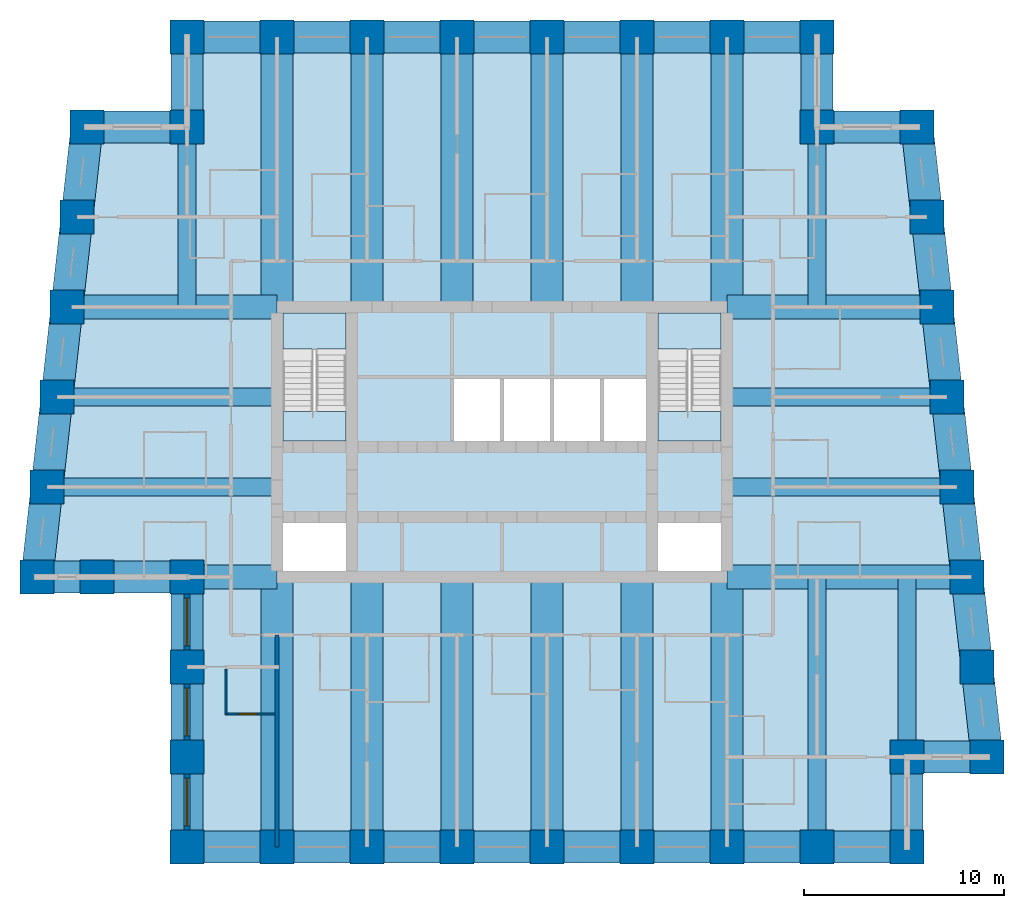
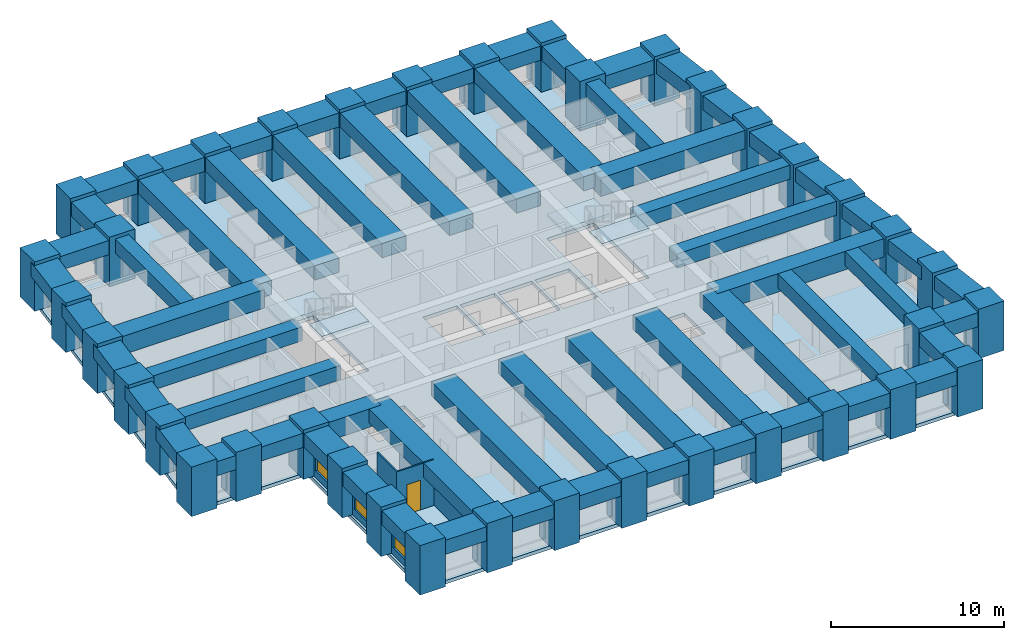
# One storey, part 1 of 8: 62 beams, 38 columns, 5 slabs, 4 walls, 3 windows, 1 door, 4 openings, 2 elements without a shape of their own.
"""IFC4 building model written with IfcOpenShell, lengths in metres."""

from ifc_helpers import new_model, si_unit, direction, frame, frame_2d, origin, origin_2d, place, context, subcontext, project, spatial, polyline, rectangle, outline, extrude, material, layer, layer_set, material_profile, profile_set, type_object, element, fill, aggregate, save


model = new_model("IFC4")

# Units and contexts
model_context = context("Model", 3, precision=1e-05, world=origin(), true_north=direction((0.0, 1.0)))
body_context = subcontext(model_context, "Body", "Model", "MODEL_VIEW")
ifc_project = project(units=[si_unit("LENGTHUNIT", "METRE"), si_unit("AREAUNIT", "SQUARE_METRE"), si_unit("VOLUMEUNIT", "CUBIC_METRE"), si_unit("PLANEANGLEUNIT", "RADIAN"), si_unit("MASSUNIT", "GRAM", prefix="KILO")], contexts=[model_context])

# Site, building, storey
site_placement = place(None, origin())
site = spatial("IfcSite", under=ifc_project, at=site_placement, CompositionType="ELEMENT")
building_placement = place(site_placement, origin())
building = spatial("IfcBuilding", under=site, at=building_placement, Name="Kilele Tower Hotel", CompositionType="ELEMENT")
storey_placement = place(building_placement, frame((0.0, 0.0, 169.39990234375)))
storey = spatial("IfcBuildingStorey", under=building, at=storey_placement, Name="L43", CompositionType="ELEMENT", Elevation=169.39990234375)

# Columns
ifc_material_1 = material(Name="Concrete C60/75", Category="concrete")
ifc_material_profile_1 = material_profile(ifc_material_1, rectangle(XDim=1.699951171875, YDim=1.699951171875, at=origin_2d()))
ifc_profile_set_1 = profile_set([ifc_material_profile_1], Name="Concrete C60/75")
column_type = type_object("IfcColumnType", Name="Tube column RC 1700x1700 C60/75", PredefinedType="COLUMN", material=ifc_profile_set_1)
for number, where, z_axis, x_axis, name in (
    (1, (1.5, 13.5, 0.0), (0.0, 0.0, 1.0), (1.0, 0.0, 0.0), "Column TC4 L43"),
    (2, (4.5, 13.5, 0.0), (0.0, 0.0, 1.0), (1.0, 0.0, 0.0), "Column TC4 L43"),
    (3, (9.0, 13.5, 0.0), (0.0, 0.0, 1.0), (1.0, 0.0, 0.0), "Column TC4 L43"),
    (4, (9.0, 9.0, 0.0), (0.0, 0.0, 1.0), (1.0, 0.0, 0.0), "Column TC4 L43"),
    (5, (9.0, 4.5, 0.0), (0.0, 0.0, 1.0), (1.0, 0.0, 0.0), "Column TC4 L43"),
    (6, (9.0, 0.0, 0.0), (0.0, 0.0, 1.0), (1.0, 0.0, 0.0), "Column TC4 L43"),
    (7, (13.5, 0.0, 0.0), (0.0, 0.0, 1.0), (1.0, 0.0, 0.0), "Column TC4 L43"),
    (8, (18.0, 0.0, 0.0), (0.0, 0.0, 1.0), (1.0, 0.0, 0.0), "Column TC4 L43"),
    (9, (22.5, 0.0, 0.0), (0.0, 0.0, 1.0), (1.0, 0.0, 0.0), "Column TC4 L43"),
    (10, (27.0, 0.0, 0.0), (0.0, 0.0, 1.0), (1.0, 0.0, 0.0), "Column TC4 L43"),
    (11, (31.5, 0.0, 0.0), (0.0, 0.0, 1.0), (1.0, 0.0, 0.0), "Column TC4 L43"),
    (12, (36.0, 0.0, 0.0), (0.0, 0.0, 1.0), (1.0, 0.0, 0.0), "Column TC4 L43"),
    (13, (40.5, 0.0, 0.0), (0.0, 0.0, 1.0), (1.0, 0.0, 0.0), "Column TC4 L43"),
    (14, (45.0, 0.0, 0.0), (0.0, 0.0, 1.0), (1.0, 0.0, 0.0), "Column TC4 L43"),
    (15, (45.0, 4.5, 0.0), (0.0, 0.0, 1.0), (1.0, 0.0, 0.0), "Column TC4 L43"),
    (16, (49.0, 4.5, 0.0), (0.0, 0.0, 1.0), (1.0, 0.0, 0.0), "Column TC4 L43"),
    (17, (48.5, 9.0, 0.0), (0.0, 0.0, 1.0), (1.0, 0.0, 0.0), "Column TC4 L43"),
    (18, (48.0, 13.5, 0.0), (0.0, 0.0, 1.0), (1.0, 0.0, 0.0), "Column TC4 L43"),
    (19, (47.5, 18.0, 0.0), (0.0, 0.0, 1.0), (1.0, 0.0, 0.0), "Column TC4 L43"),
    (20, (47.0, 22.5, 0.0), (0.0, 0.0, 1.0), (1.0, 0.0, 0.0), "Column TC4 L43"),
    (21, (46.5, 27.0, 0.0), (0.0, 0.0, 1.0), (1.0, 0.0, 0.0), "Column TC4 L43"),
    (22, (46.0, 31.5, 0.0), (0.0, 0.0, 1.0), (1.0, 0.0, 0.0), "Column TC4 L43"),
    (23, (45.5, 36.0, 0.0), (0.0, 0.0, 1.0), (1.0, 0.0, 0.0), "Column TC4 L43"),
    (24, (40.5, 36.0, 0.0), (0.0, 0.0, 1.0), (1.0, 0.0, 0.0), "Column TC4 L43"),
    (25, (40.5, 40.5, 0.0), (0.0, 0.0, 1.0), (1.0, 0.0, 0.0), "Column TC4 L43"),
    (26, (36.0, 40.5, 0.0), (0.0, 0.0, 1.0), (1.0, 0.0, 0.0), "Column TC4 L43"),
    (27, (31.5, 40.5, 0.0), (0.0, 0.0, 1.0), (1.0, 0.0, 0.0), "Column TC4 L43"),
    (28, (27.0, 40.5, 0.0), (0.0, 0.0, 1.0), (1.0, 0.0, 0.0), "Column TC4 L43"),
    (29, (22.5, 40.5, 0.0), (0.0, 0.0, 1.0), (1.0, 0.0, 0.0), "Column TC4 L43"),
    (30, (18.0, 40.5, 0.0), (0.0, 0.0, 1.0), (1.0, 0.0, 0.0), "Column TC4 L43"),
    (31, (13.5, 40.5, 0.0), (0.0, 0.0, 1.0), (1.0, 0.0, 0.0), "Column TC4 L43"),
    (32, (9.0, 40.5, 0.0), (0.0, 0.0, 1.0), (1.0, 0.0, 0.0), "Column TC4 L43"),
    (33, (9.0, 36.0, 0.0), (0.0, 0.0, 1.0), (1.0, 0.0, 0.0), "Column TC4 L43"),
    (34, (4.0, 36.0, 0.0), (0.0, 0.0, 1.0), (1.0, 0.0, 0.0), "Column TC4 L43"),
    (35, (3.5, 31.5, 0.0), (0.0, 0.0, 1.0), (1.0, 0.0, 0.0), "Column TC4 L43"),
    (36, (3.0, 27.0, 0.0), (0.0, 0.0, 1.0), (1.0, 0.0, 0.0), "Column TC4 L43"),
    (37, (2.5, 22.5, 0.0), (0.0, 0.0, 1.0), (1.0, 0.0, 0.0), "Column TC4 L43"),
    (38, (2.0, 18.0, 0.0), (0.0, 0.0, 1.0), (1.0, 0.0, 0.0), "Column TC4 L43"),
):
    element("IfcColumn", number, at=place(storey_placement, frame(where, z_axis=z_axis, x_axis=x_axis)), inside=storey, type_object=column_type, Name=name, PredefinedType="COLUMN", context=body_context, shape_type="SweptSolid", body=[
        extrude(rectangle(XDim=1.699951171875, YDim=1.699951171875, at=origin_2d()), origin(), (0.0, 0.0, 1.0), 3.5),
    ])

# Beams
ifc_material_2 = material(Name="Concrete C60/75", Category="concrete")
ifc_material_profile_2 = material_profile(ifc_material_2, rectangle(XDim=1.60009765625, YDim=1.0, at=origin_2d()))
ifc_profile_set_2 = profile_set([ifc_material_profile_2], Name="Concrete C60/75")
beam_type_1 = type_object("IfcBeamType", Name="Beam RC 1600x1000 C60/75", PredefinedType="BEAM", material=ifc_profile_set_2)
for number, where, z_axis, x_axis, name in (
    (39, (13.5, 0.0, 2.75), (0.0, 1.0, 0.0), (-1.0, 0.0, 0.0), "Beam BC1 level L44"),
    (40, (18.0, 0.0, 2.75), (0.0, 1.0, 0.0), (-1.0, 0.0, 0.0), "Beam BC1 level L44"),
    (41, (22.5, 0.0, 2.75), (0.0, 1.0, 0.0), (-1.0, 0.0, 0.0), "Beam BC1 level L44"),
    (42, (27.0, 0.0, 2.75), (0.0, 1.0, 0.0), (-1.0, 0.0, 0.0), "Beam BC1 level L44"),
    (43, (31.5, 0.0, 2.75), (0.0, 1.0, 0.0), (-1.0, 0.0, 0.0), "Beam BC1 level L44"),
    (44, (36.0, 0.0, 2.75), (0.0, 1.0, 0.0), (-1.0, 0.0, 0.0), "Beam BC1 level L44"),
    (45, (36.0, 40.5, 2.75), (0.0, -1.0, 0.0), (1.0, 0.0, 0.0), "Beam BC1 level L44"),
    (46, (31.5, 40.5, 2.75), (0.0, -1.0, 0.0), (1.0, 0.0, 0.0), "Beam BC1 level L44"),
    (47, (27.0, 40.5, 2.75), (0.0, -1.0, 0.0), (1.0, 0.0, 0.0), "Beam BC1 level L44"),
    (48, (22.5, 40.5, 2.75), (0.0, -1.0, 0.0), (1.0, 0.0, 0.0), "Beam BC1 level L44"),
    (49, (18.0, 40.5, 2.75), (0.0, -1.0, 0.0), (1.0, 0.0, 0.0), "Beam BC1 level L44"),
    (50, (13.5, 40.5, 2.75), (0.0, -1.0, 0.0), (1.0, 0.0, 0.0), "Beam BC1 level L44"),
):
    element("IfcBeam", number, at=place(storey_placement, frame(where, z_axis=z_axis, x_axis=x_axis)), inside=storey, type_object=beam_type_1, Name=name, PredefinedType="BEAM", context=body_context, shape_type="SweptSolid", body=[
        extrude(rectangle(XDim=1.60009765625, YDim=1.0, at=origin_2d()), origin(), (0.0, 0.0, 1.0), 13.5),
    ])
ifc_material_3 = material(Name="Concrete C60/75", Category="concrete")
ifc_material_profile_3 = material_profile(ifc_material_3, rectangle(XDim=0.89990234375, YDim=1.0, at=origin_2d()))
ifc_profile_set_3 = profile_set([ifc_material_profile_3], Name="Concrete C60/75")
beam_type_2 = type_object("IfcBeamType", Name="Beam RC 900x1000 C60/75", PredefinedType="BEAM", material=ifc_profile_set_3)
beam_1_placement = place(storey_placement, frame((40.5, 0.0, 2.75), z_axis=(0.0, 1.0, 0.0), x_axis=(-1.0, 0.0, 0.0)))
element("IfcBeam", 51, at=beam_1_placement, inside=storey, type_object=beam_type_2, Name="Beam B8 level L44", PredefinedType="BEAM", context=body_context, shape_type="SweptSolid", body=[
    extrude(rectangle(XDim=0.89990234375, YDim=1.0, at=origin_2d()), origin(), (0.0, 0.0, 1.0), 13.5),
])
beam_2_placement = place(storey_placement, frame((45.0, 4.5, 2.75), z_axis=(0.0, 1.0, 0.0), x_axis=(-1.0, 0.0, 0.0)))
element("IfcBeam", 52, at=beam_2_placement, inside=storey, type_object=beam_type_2, Name="Beam B8 level L44", PredefinedType="BEAM", context=body_context, shape_type="SweptSolid", body=[
    extrude(rectangle(XDim=0.89990234375, YDim=1.0, at=origin_2d()), origin(), (0.0, 0.0, 1.0), 9.0),
])
beam_3_placement = place(storey_placement, frame((47.5, 18.0, 2.75), z_axis=(-1.0, 0.0, 0.0), x_axis=(0.0, -1.0, 0.0)))
element("IfcBeam", 53, at=beam_3_placement, inside=storey, type_object=beam_type_2, Name="Beam B8 level L44", PredefinedType="BEAM", context=body_context, shape_type="SweptSolid", body=[
    extrude(rectangle(XDim=0.89990234375, YDim=1.0, at=origin_2d()), origin(), (0.0, 0.0, 1.0), 11.5),
])
beam_4_placement = place(storey_placement, frame((47.0, 22.5, 2.75), z_axis=(-1.0, 0.0, 0.0), x_axis=(0.0, -1.0, 0.0)))
element("IfcBeam", 54, at=beam_4_placement, inside=storey, type_object=beam_type_2, Name="Beam B8 level L44", PredefinedType="BEAM", context=body_context, shape_type="SweptSolid", body=[
    extrude(rectangle(XDim=0.89990234375, YDim=1.0, at=origin_2d()), origin(), (0.0, 0.0, 1.0), 11.0),
])
for number, where, z_axis, x_axis, name in (
    (55, (40.5, 36.0, 2.75), (0.0, -1.0, 0.0), (1.0, 0.0, 0.0), "Beam B8 level L44"),
    (56, (9.0, 36.0, 2.75), (0.0, -1.0, 0.0), (1.0, 0.0, 0.0), "Beam B8 level L44"),
):
    element("IfcBeam", number, at=place(storey_placement, frame(where, z_axis=z_axis, x_axis=x_axis)), inside=storey, type_object=beam_type_2, Name=name, PredefinedType="BEAM", context=body_context, shape_type="SweptSolid", body=[
        extrude(rectangle(XDim=0.89990234375, YDim=1.0, at=origin_2d()), origin(), (0.0, 0.0, 1.0), 9.0),
    ])
beam_5_placement = place(storey_placement, frame((2.5, 22.5, 2.75), z_axis=(1.0, 0.0, 0.0), x_axis=(0.0, 1.0, 0.0)))
element("IfcBeam", 57, at=beam_5_placement, inside=storey, type_object=beam_type_2, Name="Beam B8 level L44", PredefinedType="BEAM", context=body_context, shape_type="SweptSolid", body=[
    extrude(rectangle(XDim=0.89990234375, YDim=1.0, at=origin_2d()), origin(), (0.0, 0.0, 1.0), 11.0),
])
beam_6_placement = place(storey_placement, frame((2.0, 18.0, 2.75), z_axis=(1.0, 0.0, 0.0), x_axis=(0.0, 1.0, 0.0)))
element("IfcBeam", 58, at=beam_6_placement, inside=storey, type_object=beam_type_2, Name="Beam B8 level L44", PredefinedType="BEAM", context=body_context, shape_type="SweptSolid", body=[
    extrude(rectangle(XDim=0.89990234375, YDim=1.0, at=origin_2d()), origin(), (0.0, 0.0, 1.0), 11.5),
])
ifc_material_4 = material(Name="Concrete C60/75", Category="concrete")
ifc_material_profile_4 = material_profile(ifc_material_4, rectangle(XDim=1.199951171875, YDim=1.300048828125, at=origin_2d()))
ifc_profile_set_4 = profile_set([ifc_material_profile_4], Name="Concrete C60/75")
beam_type_3 = type_object("IfcBeamType", Name="Girder RC 1200x1300 C60/75", PredefinedType="BEAM", material=ifc_profile_set_4)
beam_7_placement = place(storey_placement, frame((48.0, 13.5, 2.60009765625), z_axis=(-1.0, 0.0, 0.0), x_axis=(0.0, -1.0, 0.0)))
element("IfcBeam", 59, at=beam_7_placement, inside=storey, type_object=beam_type_3, Name="Girder G1 level L44", PredefinedType="BEAM", context=body_context, shape_type="SweptSolid", body=[
    extrude(rectangle(XDim=1.199951171875, YDim=1.300048828125, at=origin_2d()), origin(), (0.0, 0.0, 1.0), 12.0),
])
ifc_material_5 = material(Name="Concrete C60/75", Category="concrete")
ifc_material_profile_5 = material_profile(ifc_material_5, rectangle(XDim=1.199951171875, YDim=1.300048828125, at=origin_2d()))
ifc_profile_set_5 = profile_set([ifc_material_profile_5], Name="Concrete C60/75")
beam_type_4 = type_object("IfcBeamType", Name="Girder RC 1200x1300 C60/75 mid span", PredefinedType="BEAM", material=ifc_profile_set_5)
for number, where, z_axis, x_axis, name in (
    (60, (46.5, 27.0, 2.60009765625), (-1.0, 0.0, 0.0), (0.0, -1.0, 0.0), "Girder G3 level L44"),
    (61, (3.0, 27.0, 2.60009765625), (1.0, 0.0, 0.0), (0.0, 1.0, 0.0), "Girder G3 level L44"),
):
    element("IfcBeam", number, at=place(storey_placement, frame(where, z_axis=z_axis, x_axis=x_axis)), inside=storey, type_object=beam_type_4, Name=name, PredefinedType="BEAM", context=body_context, shape_type="SweptSolid", body=[
        extrude(rectangle(XDim=1.199951171875, YDim=1.300048828125, at=origin_2d()), origin(), (0.0, 0.0, 1.0), 10.5),
    ])
ifc_material_6 = material(Name="Concrete C60/75", Category="concrete")
ifc_material_profile_6 = material_profile(ifc_material_6, rectangle(XDim=1.199951171875, YDim=1.300048828125, at=origin_2d()))
ifc_profile_set_6 = profile_set([ifc_material_profile_6], Name="Concrete C60/75")
beam_type_5 = type_object("IfcBeamType", Name="Girder RC 1200x1300 C60/75 short span", PredefinedType="BEAM", material=ifc_profile_set_6)
beam_8_placement = place(storey_placement, frame((9.0, 13.5, 2.60009765625), z_axis=(1.0, 0.0, 0.0), x_axis=(0.0, 1.0, 0.0)))
element("IfcBeam", 62, at=beam_8_placement, inside=storey, type_object=beam_type_5, Name="Girder G5 level L44", PredefinedType="BEAM", context=body_context, shape_type="SweptSolid", body=[
    extrude(rectangle(XDim=1.199951171875, YDim=1.300048828125, at=origin_2d()), origin(), (0.0, 0.0, 1.0), 4.5),
])
ifc_material_7 = material(Name="Concrete C60/75", Category="concrete")
ifc_material_profile_7 = material_profile(ifc_material_7, rectangle(XDim=1.60009765625, YDim=1.0, at=origin_2d()))
ifc_profile_set_7 = profile_set([ifc_material_profile_7], Name="Concrete C60/75")
beam_type_6 = type_object("IfcBeamType", Name="Spandrel RC 1600x1000 C60/75", PredefinedType="SPANDREL", material=ifc_profile_set_7)
beam_9_placement = place(storey_placement, frame((1.5, 13.5, 2.75), z_axis=(1.0, 0.0, 0.0), x_axis=(0.0, 1.0, 0.0)))
element("IfcBeam", 63, at=beam_9_placement, inside=storey, type_object=beam_type_6, Name="Spandrel SP2 level L44", PredefinedType="SPANDREL", context=body_context, shape_type="SweptSolid", body=[
    extrude(rectangle(XDim=1.60009765625, YDim=1.0, at=origin_2d()), origin(), (0.0, 0.0, 1.0), 3.0),
])
for number, where, z_axis, x_axis, name in (
    (64, (4.5, 13.5, 2.75), (1.0, 0.0, 0.0), (0.0, 1.0, 0.0), "Spandrel SP2 level L44"),
    (65, (9.0, 13.5, 2.75), (0.0, -1.0, 0.0), (1.0, 0.0, 0.0), "Spandrel SP2 level L44"),
    (66, (9.0, 9.0, 2.75), (0.0, -1.0, 0.0), (1.0, 0.0, 0.0), "Spandrel SP2 level L44"),
    (67, (9.0, 4.5, 2.75), (0.0, -1.0, 0.0), (1.0, 0.0, 0.0), "Spandrel SP2 level L44"),
    (68, (9.0, 0.0, 2.75), (1.0, 0.0, 0.0), (0.0, 1.0, 0.0), "Spandrel SP2 level L44"),
    (69, (13.5, 0.0, 2.75), (1.0, 0.0, 0.0), (0.0, 1.0, 0.0), "Spandrel SP2 level L44"),
    (70, (18.0, 0.0, 2.75), (1.0, 0.0, 0.0), (0.0, 1.0, 0.0), "Spandrel SP2 level L44"),
    (71, (22.5, 0.0, 2.75), (1.0, 0.0, 0.0), (0.0, 1.0, 0.0), "Spandrel SP2 level L44"),
    (72, (27.0, 0.0, 2.75), (1.0, 0.0, 0.0), (0.0, 1.0, 0.0), "Spandrel SP2 level L44"),
    (73, (31.5, 0.0, 2.75), (1.0, 0.0, 0.0), (0.0, 1.0, 0.0), "Spandrel SP2 level L44"),
    (74, (36.0, 0.0, 2.75), (1.0, 0.0, 0.0), (0.0, 1.0, 0.0), "Spandrel SP2 level L44"),
    (75, (40.5, 0.0, 2.75), (1.0, 0.0, 0.0), (0.0, 1.0, 0.0), "Spandrel SP2 level L44"),
    (76, (45.0, 0.0, 2.75), (0.0, 1.0, 0.0), (-1.0, 0.0, 0.0), "Spandrel SP2 level L44"),
):
    element("IfcBeam", number, at=place(storey_placement, frame(where, z_axis=z_axis, x_axis=x_axis)), inside=storey, type_object=beam_type_6, Name=name, PredefinedType="SPANDREL", context=body_context, shape_type="SweptSolid", body=[
        extrude(rectangle(XDim=1.60009765625, YDim=1.0, at=origin_2d()), origin(), (0.0, 0.0, 1.0), 4.5),
    ])
beam_10_placement = place(storey_placement, frame((45.0, 4.5, 2.75), z_axis=(1.0, 0.0, 0.0), x_axis=(0.0, 1.0, 0.0)))
element("IfcBeam", 77, at=beam_10_placement, inside=storey, type_object=beam_type_6, Name="Spandrel SP2 level L44", PredefinedType="SPANDREL", context=body_context, shape_type="SweptSolid", body=[
    extrude(rectangle(XDim=1.60009765625, YDim=1.0, at=origin_2d()), origin(), (0.0, 0.0, 1.0), 4.0),
])
for number, where, z_axis, x_axis, name in (
    (78, (49.0, 4.5, 2.75), (-0.110431526075, 0.993883734674, 0.0), (-0.993883734674, -0.110431526075, 0.0), "Spandrel SP2 level L44"),
    (79, (48.5, 9.0, 2.75), (-0.110431526075, 0.993883734674, 0.0), (-0.993883734674, -0.110431526075, 0.0), "Spandrel SP2 level L44"),
    (80, (48.0, 13.5, 2.75), (-0.110431526075, 0.993883734674, 0.0), (-0.993883734674, -0.110431526075, 0.0), "Spandrel SP2 level L44"),
    (81, (47.5, 18.0, 2.75), (-0.110431526075, 0.993883734674, 0.0), (-0.993883734674, -0.110431526075, 0.0), "Spandrel SP2 level L44"),
    (82, (47.0, 22.5, 2.75), (-0.110431526075, 0.993883734674, 0.0), (-0.993883734674, -0.110431526075, 0.0), "Spandrel SP2 level L44"),
    (83, (46.5, 27.0, 2.75), (-0.110431526075, 0.993883734674, 0.0), (-0.993883734674, -0.110431526075, 0.0), "Spandrel SP2 level L44"),
    (84, (46.0, 31.5, 2.75), (-0.110431526075, 0.993883734674, 0.0), (-0.993883734674, -0.110431526075, 0.0), "Spandrel SP2 level L44"),
):
    element("IfcBeam", number, at=place(storey_placement, frame(where, z_axis=z_axis, x_axis=x_axis)), inside=storey, type_object=beam_type_6, Name=name, PredefinedType="SPANDREL", context=body_context, shape_type="SweptSolid", body=[
        extrude(rectangle(XDim=1.60009765625, YDim=1.0, at=origin_2d()), origin(), (0.0, 0.0, 1.0), 4.527587890625),
    ])
beam_11_placement = place(storey_placement, frame((45.5, 36.0, 2.75), z_axis=(-1.0, 0.0, 0.0), x_axis=(0.0, -1.0, 0.0)))
element("IfcBeam", 85, at=beam_11_placement, inside=storey, type_object=beam_type_6, Name="Spandrel SP2 level L44", PredefinedType="SPANDREL", context=body_context, shape_type="SweptSolid", body=[
    extrude(rectangle(XDim=1.60009765625, YDim=1.0, at=origin_2d()), origin(), (0.0, 0.0, 1.0), 5.0),
])
for number, where, z_axis, x_axis, name in (
    (86, (40.5, 36.0, 2.75), (0.0, 1.0, 0.0), (-1.0, 0.0, 0.0), "Spandrel SP2 level L44"),
    (87, (40.5, 40.5, 2.75), (-1.0, 0.0, 0.0), (0.0, -1.0, 0.0), "Spandrel SP2 level L44"),
    (88, (36.0, 40.5, 2.75), (-1.0, 0.0, 0.0), (0.0, -1.0, 0.0), "Spandrel SP2 level L44"),
    (89, (31.5, 40.5, 2.75), (-1.0, 0.0, 0.0), (0.0, -1.0, 0.0), "Spandrel SP2 level L44"),
    (90, (27.0, 40.5, 2.75), (-1.0, 0.0, 0.0), (0.0, -1.0, 0.0), "Spandrel SP2 level L44"),
    (91, (22.5, 40.5, 2.75), (-1.0, 0.0, 0.0), (0.0, -1.0, 0.0), "Spandrel SP2 level L44"),
    (92, (18.0, 40.5, 2.75), (-1.0, 0.0, 0.0), (0.0, -1.0, 0.0), "Spandrel SP2 level L44"),
    (93, (13.5, 40.5, 2.75), (-1.0, 0.0, 0.0), (0.0, -1.0, 0.0), "Spandrel SP2 level L44"),
    (94, (9.0, 40.5, 2.75), (0.0, -1.0, 0.0), (1.0, 0.0, 0.0), "Spandrel SP2 level L44"),
):
    element("IfcBeam", number, at=place(storey_placement, frame(where, z_axis=z_axis, x_axis=x_axis)), inside=storey, type_object=beam_type_6, Name=name, PredefinedType="SPANDREL", context=body_context, shape_type="SweptSolid", body=[
        extrude(rectangle(XDim=1.60009765625, YDim=1.0, at=origin_2d()), origin(), (0.0, 0.0, 1.0), 4.5),
    ])
beam_12_placement = place(storey_placement, frame((9.0, 36.0, 2.75), z_axis=(-1.0, 0.0, 0.0), x_axis=(0.0, -1.0, 0.0)))
element("IfcBeam", 95, at=beam_12_placement, inside=storey, type_object=beam_type_6, Name="Spandrel SP2 level L44", PredefinedType="SPANDREL", context=body_context, shape_type="SweptSolid", body=[
    extrude(rectangle(XDim=1.60009765625, YDim=1.0, at=origin_2d()), origin(), (0.0, 0.0, 1.0), 5.0),
])
for number, where, z_axis, x_axis, name in (
    (96, (4.0, 36.0, 2.75), (-0.110431526075, -0.993883734674, 0.0), (0.993883734674, -0.110431526075, 0.0), "Spandrel SP2 level L44"),
    (97, (3.5, 31.5, 2.75), (-0.110431526075, -0.993883734674, 0.0), (0.993883734674, -0.110431526075, 0.0), "Spandrel SP2 level L44"),
    (98, (3.0, 27.0, 2.75), (-0.110431526075, -0.993883734674, 0.0), (0.993883734674, -0.110431526075, 0.0), "Spandrel SP2 level L44"),
    (99, (2.5, 22.5, 2.75), (-0.110431526075, -0.993883734674, 0.0), (0.993883734674, -0.110431526075, 0.0), "Spandrel SP2 level L44"),
    (100, (2.0, 18.0, 2.75), (-0.110431526075, -0.993883734674, 0.0), (0.993883734674, -0.110431526075, 0.0), "Spandrel SP2 level L44"),
):
    element("IfcBeam", number, at=place(storey_placement, frame(where, z_axis=z_axis, x_axis=x_axis)), inside=storey, type_object=beam_type_6, Name=name, PredefinedType="SPANDREL", context=body_context, shape_type="SweptSolid", body=[
        extrude(rectangle(XDim=1.60009765625, YDim=1.0, at=origin_2d()), origin(), (0.0, 0.0, 1.0), 4.527587890625),
    ])

# Slab
ifc_material_8 = material(Name="Concrete C60/75", Category="concrete")
ifc_layer_1 = layer(ifc_material_8, 0.25)
ifc_layer_set_1 = layer_set([ifc_layer_1], Name="Concrete C60/75")
slab_type_1 = type_object("IfcSlabType", Name="Floor slab 250", PredefinedType="FLOOR", material=ifc_layer_set_1)
slab_1_placement = place(storey_placement, frame((0.0, 0.0, -0.25)))
element("IfcSlab", 101, at=slab_1_placement, inside=storey, type_object=slab_type_1, Name="Floor slab L43", PredefinedType="FLOOR", context=body_context, shape_type="SweptSolid", body=[
    extrude(outline(polyline([(8.699951171875, 36.300048828125), (8.699951171875, 40.800048828125), (40.800048828125, 40.800048828125), (40.800048828125, 36.300048828125), (45.7685546875, 36.300048828125), (49.335205078125, 4.199951171875), (45.300048828125, 4.199951171875), (45.300048828125, -0.300048828125), (8.699951171875, -0.300048828125), (8.699951171875, 13.199951171875), (1.164794921875, 13.199951171875), (3.7314453125, 36.300048828125), (8.699951171875, 36.300048828125)]), holes=[polyline([(16.949951171875, 16.199951171875), (13.800048828125, 16.199951171875), (13.800048828125, 13.800048828125), (16.949951171875, 13.800048828125), (16.949951171875, 16.199951171875)]), polyline([(35.699951171875, 16.199951171875), (32.550048828125, 16.199951171875), (32.550048828125, 13.800048828125), (35.699951171875, 13.800048828125), (35.699951171875, 16.199951171875)]), polyline([(24.64990234375, 23.39990234375), (22.35009765625, 23.39990234375), (22.35009765625, 20.10009765625), (24.64990234375, 20.10009765625), (24.64990234375, 23.39990234375)]), polyline([(27.14990234375, 23.39990234375), (24.85009765625, 23.39990234375), (24.85009765625, 20.10009765625), (27.14990234375, 20.10009765625), (27.14990234375, 23.39990234375)]), polyline([(29.64990234375, 23.39990234375), (27.35009765625, 23.39990234375), (27.35009765625, 20.10009765625), (29.64990234375, 20.10009765625), (29.64990234375, 23.39990234375)]), polyline([(32.14990234375, 23.39990234375), (29.85009765625, 23.39990234375), (29.85009765625, 20.10009765625), (32.14990234375, 20.10009765625), (32.14990234375, 23.39990234375)]), polyline([(16.949951171875, 26.699951171875), (13.800048828125, 26.699951171875), (13.800048828125, 20.300048828125), (16.949951171875, 20.300048828125), (16.949951171875, 26.699951171875)]), polyline([(35.699951171875, 26.699951171875), (32.550048828125, 26.699951171875), (32.550048828125, 20.300048828125), (35.699951171875, 20.300048828125), (35.699951171875, 26.699951171875)])]), origin(), (0.0, 0.0, 1.0), 0.25),
])

# Stair, slabs
ifc_material_9 = material(Name="Precast concrete C40/50", Category="concrete")
stair_type = type_object("IfcStairType", Name="Stair 1475 x 3500", PredefinedType="HALF_TURN_STAIR", material=ifc_material_9)
stair_1_placement = place(storey_placement, origin())
stair_1 = element("IfcStair", 102, at=stair_1_placement, inside=storey, type_object=stair_type, Name="Stair 1 L43", PredefinedType="HALF_TURN_STAIR")
ifc_material_10 = material(Name="Precast concrete C40/50", Category="concrete")
ifc_layer_2 = layer(ifc_material_10, 0.199951171875)
ifc_layer_set_2 = layer_set([ifc_layer_2], Name="Precast concrete C40/50")
slab_type_2 = type_object("IfcSlabType", Name="Stair landing 200", PredefinedType="LANDING", material=ifc_layer_set_2)
slab_2_placement = place(storey_placement, frame((0.0, 0.0, 1.550048828125)))
slab_2 = element("IfcSlab", 103, at=slab_2_placement, type_object=slab_type_2, Name="ST1 landing 1", PredefinedType="LANDING", context=body_context, shape_type="SweptSolid", body=[
    extrude(outline(polyline([(13.800048828125, 24.89501953125), (16.949951171875, 24.89501953125), (16.949951171875, 26.699951171875), (13.800048828125, 26.699951171875), (13.800048828125, 24.89501953125)])), origin(), (0.0, 0.0, 1.0), 0.199951171875),
])
slab_3_placement = place(storey_placement, frame((0.0, 0.0, 3.300048828125)))
slab_3 = element("IfcSlab", 104, at=slab_3_placement, type_object=slab_type_2, Name="ST1 landing 2", PredefinedType="LANDING", context=body_context, shape_type="SweptSolid", body=[
    extrude(outline(polyline([(13.800048828125, 20.300048828125), (16.949951171875, 20.300048828125), (16.949951171875, 21.77490234375), (13.800048828125, 21.77490234375), (13.800048828125, 20.300048828125)])), origin(), (0.0, 0.0, 1.0), 0.199951171875),
])
aggregate(stair_1, [slab_2, slab_3])

stair_2_placement = place(storey_placement, origin())
stair_2 = element("IfcStair", 105, at=stair_2_placement, inside=storey, type_object=stair_type, Name="Stair 2 L43", PredefinedType="HALF_TURN_STAIR")
slab_4_placement = place(storey_placement, frame((0.0, 0.0, 1.550048828125)))
slab_4 = element("IfcSlab", 106, at=slab_4_placement, type_object=slab_type_2, Name="ST2 landing 1", PredefinedType="LANDING", context=body_context, shape_type="SweptSolid", body=[
    extrude(outline(polyline([(32.550048828125, 24.89501953125), (35.699951171875, 24.89501953125), (35.699951171875, 26.699951171875), (32.550048828125, 26.699951171875), (32.550048828125, 24.89501953125)])), origin(), (0.0, 0.0, 1.0), 0.199951171875),
])
slab_5_placement = place(storey_placement, frame((0.0, 0.0, 3.300048828125)))
slab_5 = element("IfcSlab", 107, at=slab_5_placement, type_object=slab_type_2, Name="ST2 landing 2", PredefinedType="LANDING", context=body_context, shape_type="SweptSolid", body=[
    extrude(outline(polyline([(32.550048828125, 20.300048828125), (35.699951171875, 20.300048828125), (35.699951171875, 21.77490234375), (32.550048828125, 21.77490234375), (32.550048828125, 20.300048828125)])), origin(), (0.0, 0.0, 1.0), 0.199951171875),
])
aggregate(stair_2, [slab_4, slab_5])

# Wall
ifc_material_11 = material(Name="Moisture-resistant board")
ifc_layer_3 = layer(ifc_material_11, 0.10009765625)
ifc_layer_set_3 = layer_set([ifc_layer_3], Name="Moisture-resistant board")
wall_type_1 = type_object("IfcWallType", Name="Bathroom partition 100", PredefinedType="PLUMBINGWALL", material=ifc_layer_set_3)
wall_1_placement = place(storey_placement, frame((10.949951171875, 8.89990234375, 0.0), z_axis=(0.0, 0.0, 1.0), x_axis=(0.0, -1.0, 0.0)))
element("IfcWall", 108, at=wall_1_placement, inside=storey, type_object=wall_type_1, Name="Bathroom partition 100 L43", PredefinedType="PLUMBINGWALL", context=body_context, shape_type="SweptSolid", body=[
    extrude(rectangle(XDim=2.2998046875, YDim=0.10009765625, at=frame_2d((1.14990234375, 0.0))), origin(), (0.0, 0.0, 1.0), 3.25),
])

# Wall, opening, door
wall_2_placement = place(storey_placement, frame((13.39990234375, 6.64990234375, 0.0), z_axis=(0.0, 0.0, 1.0), x_axis=(-1.0, 0.0, 0.0)))
wall_2 = element("IfcWall", 109, at=wall_2_placement, inside=storey, type_object=wall_type_1, Name="Bathroom partition 100 L43", PredefinedType="PLUMBINGWALL", context=body_context, shape_type="SweptSolid", body=[
    extrude(rectangle(XDim=2.5, YDim=0.10009765625, at=frame_2d((1.25, 0.0))), origin(), (0.0, 0.0, 1.0), 3.25),
])
opening_1_placement = place(wall_2_placement, frame((0.89990234375, 0.0, 0.0)))
opening_1 = element("IfcOpeningElement", 110, at=opening_1_placement, cuts=wall_2, Name="Opening D2A", PredefinedType="OPENING", context=body_context, shape_type="SweptSolid", body=[
    extrude(rectangle(XDim=0.89990234375, YDim=2.10009765625, at=frame_2d((0.449951171875, 1.050048828125))), frame((0.0, 0.06005859375, 0.0), z_axis=(0.0, -1.0, 0.0), x_axis=(1.0, 0.0, 0.0)), (0.0, 0.0, 1.0), 0.1201171875),
])
ifc_material_12 = material(Name="Timber door leaf in hardwood frame", Category="wood")
door_type = type_object("IfcDoorType", Name="Bathroom door 900", OperationType="SINGLE_SWING_LEFT", PredefinedType="DOOR", material=ifc_material_12)
door_placement = place(opening_1_placement, origin())
door = element("IfcDoor", 111, at=door_placement, inside=storey, type_object=door_type, Name="Bathroom door 4318B", OperationType="SINGLE_SWING_LEFT", OverallHeight=2.10009765625, OverallWidth=0.89990234375, PredefinedType="DOOR", context=body_context, shape_type="SweptSolid", body=[
    extrude(rectangle(XDim=0.89990234375, YDim=2.10009765625, at=frame_2d((0.449951171875, 1.050048828125))), frame((0.0, 0.02490234375, 0.0), z_axis=(0.0, -1.0, 0.0), x_axis=(1.0, 0.0, 0.0)), (0.0, 0.0, 1.0), 0.050048828125),
])
fill(opening_1, door)

# Wall
ifc_material_13 = material(Name="Blockwork, plastered both sides", Category="masonry")
ifc_layer_4 = layer(ifc_material_13, 0.199951171875)
ifc_layer_set_4 = layer_set([ifc_layer_4], Name="Blockwork, plastered both sides")
wall_type_2 = type_object("IfcWallType", Name="Party wall 200", PredefinedType="PARTITIONING", material=ifc_layer_set_4)
wall_3_placement = place(storey_placement, frame((13.5, 10.60009765625, 0.0), z_axis=(0.0, 0.0, 1.0), x_axis=(0.0, -1.0, 0.0)))
element("IfcWall", 112, at=wall_3_placement, inside=storey, type_object=wall_type_2, Name="Party wall 200 L43", PredefinedType="PARTITIONING", context=body_context, shape_type="SweptSolid", body=[
    extrude(rectangle(XDim=10.60009765625, YDim=0.199951171875, at=frame_2d((5.300048828125, 0.0))), origin(), (0.0, 0.0, 1.0), 2.25),
])

# Wall, openings, windows
ifc_material_14 = material(Name="Concrete C40/50 precast", Category="concrete")
ifc_layer_5 = layer(ifc_material_14, 0.260009765625, Name="Precast backing", Category="LoadBearing")
ifc_material_15 = material(Name="Reconstituted stone finish", Category="masonry")
ifc_layer_6 = layer(ifc_material_15, 0.0400390625, Name="Face mix", Category="Finish")
ifc_layer_set_5 = layer_set([ifc_layer_5, ifc_layer_6], Name="Precast concrete C40/50, reconstituted stone finish")
wall_type_3 = type_object("IfcWallType", Name="Precast stone facade wall 300", PredefinedType="STANDARD", material=ifc_layer_set_5)
wall_4_placement = place(storey_placement, frame((9.0, 13.64990234375, 0.0), z_axis=(0.0, 0.0, 1.0), x_axis=(0.0, -1.0, 0.0)))
wall_4 = element("IfcWall", 113, at=wall_4_placement, inside=storey, type_object=wall_type_3, Name="Facade wall L43 edge 2", PredefinedType="STANDARD", context=body_context, shape_type="SweptSolid", body=[
    extrude(rectangle(XDim=13.7998046875, YDim=0.300048828125, at=frame_2d((6.89990234375, 0.0))), origin(), (0.0, 0.0, 1.0), 2.25),
])
opening_2_placement = place(wall_4_placement, frame((1.199951171875, 0.0, 0.5)))
opening_2 = element("IfcOpeningElement", 114, at=opening_2_placement, cuts=wall_4, Name="Opening W3", PredefinedType="OPENING", context=body_context, shape_type="SweptSolid", body=[
    extrude(rectangle(XDim=2.39990234375, YDim=1.60009765625, at=frame_2d((1.199951171875, 0.800048828125))), frame((0.0, 0.159912109375, 0.0), z_axis=(0.0, -1.0, 0.0), x_axis=(1.0, 0.0, 0.0)), (0.0, 0.0, 1.0), 0.320068359375),
])
opening_3_placement = place(wall_4_placement, frame((5.699951171875, 0.0, 0.5)))
opening_3 = element("IfcOpeningElement", 115, at=opening_3_placement, cuts=wall_4, Name="Opening W3", PredefinedType="OPENING", context=body_context, shape_type="SweptSolid", body=[
    extrude(rectangle(XDim=2.39990234375, YDim=1.60009765625, at=frame_2d((1.199951171875, 0.800048828125))), frame((0.0, 0.159912109375, 0.0), z_axis=(0.0, -1.0, 0.0), x_axis=(1.0, 0.0, 0.0)), (0.0, 0.0, 1.0), 0.320068359375),
])
opening_4_placement = place(wall_4_placement, frame((10.199951171875, 0.0, 0.5)))
opening_4 = element("IfcOpeningElement", 116, at=opening_4_placement, cuts=wall_4, Name="Opening W3", PredefinedType="OPENING", context=body_context, shape_type="SweptSolid", body=[
    extrude(rectangle(XDim=2.39990234375, YDim=1.60009765625, at=frame_2d((1.199951171875, 0.800048828125))), frame((0.0, 0.159912109375, 0.0), z_axis=(0.0, -1.0, 0.0), x_axis=(1.0, 0.0, 0.0)), (0.0, 0.0, 1.0), 0.320068359375),
])
ifc_material_16 = material(Name="Aluminium frame, clear double glazing", Category="aluminium")
window_type = type_object("IfcWindowType", Name="Window W3 2400 x 1600", PartitioningType="SINGLE_PANEL", PredefinedType="WINDOW", material=ifc_material_16)
window_1_placement = place(opening_2_placement, origin())
window_1 = element("IfcWindow", 117, at=window_1_placement, inside=storey, type_object=window_type, Name="Window L43", OverallHeight=1.60009765625, OverallWidth=2.39990234375, PartitioningType="SINGLE_PANEL", PredefinedType="WINDOW", context=body_context, shape_type="SweptSolid", body=[
    extrude(rectangle(XDim=2.39990234375, YDim=1.60009765625, at=frame_2d((1.199951171875, 0.800048828125))), frame((0.0, 0.030029296875, 0.0), z_axis=(0.0, -1.0, 0.0), x_axis=(1.0, 0.0, 0.0)), (0.0, 0.0, 1.0), 0.06005859375),
])
fill(opening_2, window_1)
window_2_placement = place(opening_3_placement, origin())
window_2 = element("IfcWindow", 118, at=window_2_placement, inside=storey, type_object=window_type, Name="Window L43", OverallHeight=1.60009765625, OverallWidth=2.39990234375, PartitioningType="SINGLE_PANEL", PredefinedType="WINDOW", context=body_context, shape_type="SweptSolid", body=[
    extrude(rectangle(XDim=2.39990234375, YDim=1.60009765625, at=frame_2d((1.199951171875, 0.800048828125))), frame((0.0, 0.030029296875, 0.0), z_axis=(0.0, -1.0, 0.0), x_axis=(1.0, 0.0, 0.0)), (0.0, 0.0, 1.0), 0.06005859375),
])
fill(opening_3, window_2)
window_3_placement = place(opening_4_placement, origin())
window_3 = element("IfcWindow", 119, at=window_3_placement, inside=storey, type_object=window_type, Name="Window L43", OverallHeight=1.60009765625, OverallWidth=2.39990234375, PartitioningType="SINGLE_PANEL", PredefinedType="WINDOW", context=body_context, shape_type="SweptSolid", body=[
    extrude(rectangle(XDim=2.39990234375, YDim=1.60009765625, at=frame_2d((1.199951171875, 0.800048828125))), frame((0.0, 0.030029296875, 0.0), z_axis=(0.0, -1.0, 0.0), x_axis=(1.0, 0.0, 0.0)), (0.0, 0.0, 1.0), 0.06005859375),
])
fill(opening_4, window_3)

save(model, "model.ifc")
